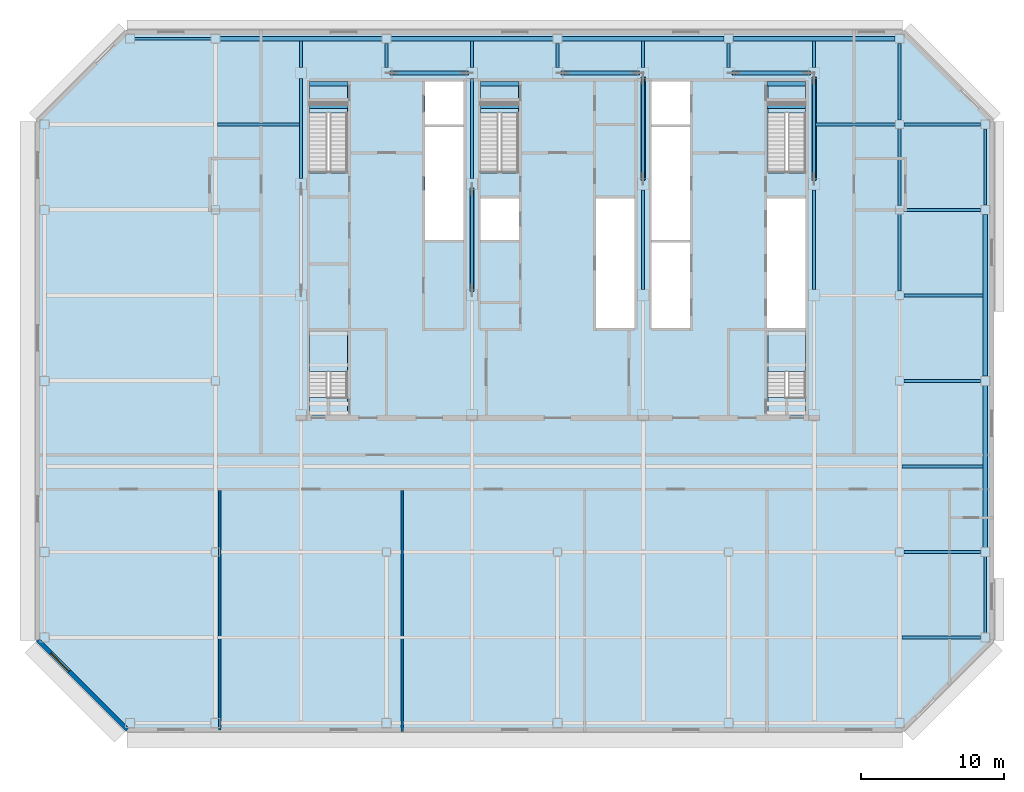
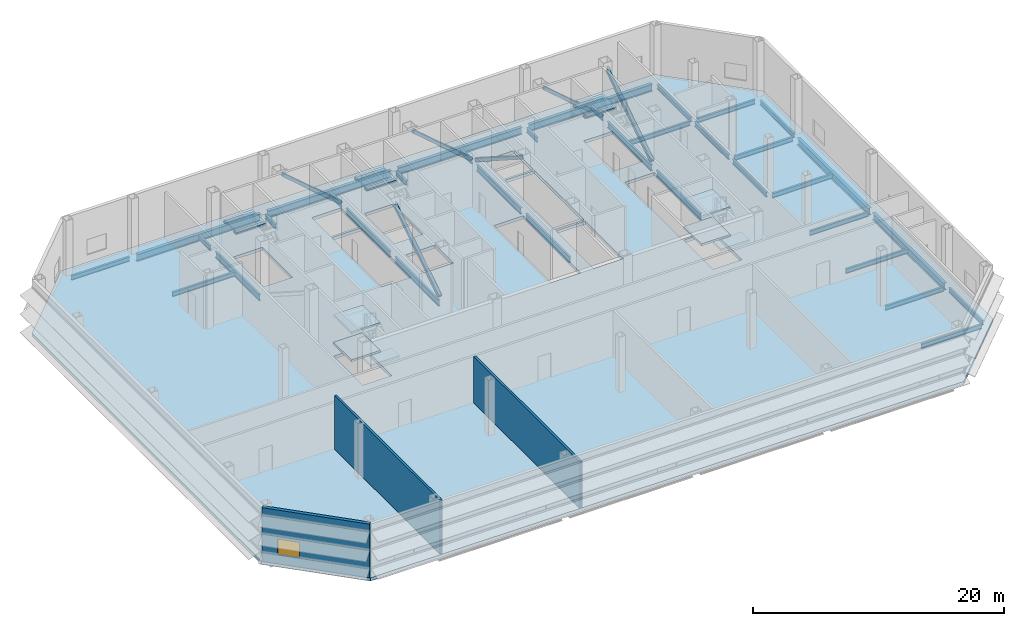
# One storey, part 2 of 11: 41 beams, 10 slabs, 6 members, 3 walls, 1 window, 1 opening, 5 elements without a shape of their own.
"""IFC4 building model written with IfcOpenShell, lengths in metres."""

from ifc_helpers import new_model, si_unit, direction, frame, frame_2d, origin, origin_2d, place, context, subcontext, project, spatial, polyline, rectangle, hollow_rectangle, i_section, outline, extrude, material, layer, layer_set, material_profile, profile_set, type_object, element, fill, aggregate, save


model = new_model("IFC4")

# Units and contexts
model_context = context("Model", 3, precision=1e-05, world=origin(), true_north=direction((0.0, 1.0)))
body_context = subcontext(model_context, "Body", "Model", "MODEL_VIEW")
ifc_project = project(units=[si_unit("LENGTHUNIT", "METRE"), si_unit("AREAUNIT", "SQUARE_METRE"), si_unit("VOLUMEUNIT", "CUBIC_METRE"), si_unit("PLANEANGLEUNIT", "RADIAN"), si_unit("MASSUNIT", "GRAM", prefix="KILO")], contexts=[model_context])

# Site, building, storey
site_placement = place(None, origin())
site = spatial("IfcSite", under=ifc_project, at=site_placement, CompositionType="ELEMENT")
building_placement = place(site_placement, origin())
building = spatial("IfcBuilding", under=site, at=building_placement, Name="Sorahane Residences", CompositionType="ELEMENT")
storey_placement = place(building_placement, frame((0.0, 0.0, 234.199951171875)))
storey = spatial("IfcBuildingStorey", under=building, at=storey_placement, Name="L55", CompositionType="ELEMENT", Elevation=234.199951171875)

# Members
ifc_material_1 = material(Name="Steel Q355B", Category="steel")
ifc_material_profile_1 = material_profile(ifc_material_1, hollow_rectangle(XDim=0.300048828125, YDim=0.300048828125, WallThickness=0.01611328125, InnerFilletRadius=0.008056640625, OuterFilletRadius=0.02392578125, at=origin_2d()), Name="RHS 300x300x16")
ifc_profile_set_1 = profile_set([ifc_material_profile_1], Name="Steel Q355B")
member_type = type_object("IfcMemberType", Name="Core brace RHS 300x300x16 Q355B", PredefinedType="BRACE", material=ifc_profile_set_1)
for number, where, z_axis, x_axis, name in (
    (1, (17.65869140625, 45.60009765625, 0.099609375), (-0.758336649086, 0.0, 0.651863119568), (0.0, -1.0, 0.0), "Core brace L55 y45.6-2"),
    (2, (29.65869140625, 45.60009765625, 0.099609375), (-0.758336649086, 0.0, 0.651863119568), (0.0, -1.0, 0.0), "Core brace L55 y45.6-4"),
    (3, (41.65869140625, 45.60009765625, 0.099609375), (-0.758336649086, 0.0, 0.651863119568), (0.0, -1.0, 0.0), "Core brace L55 y45.6-6"),
):
    element("IfcMember", number, at=place(storey_placement, frame(where, z_axis=z_axis, x_axis=x_axis)), inside=storey, type_object=member_type, Name=name, PredefinedType="BRACE", context=body_context, shape_type="SweptSolid", body=[
        extrude(hollow_rectangle(XDim=0.300048828125, YDim=0.300048828125, WallThickness=0.01611328125, InnerFilletRadius=0.008056640625, OuterFilletRadius=0.02392578125, at=origin_2d()), origin(), (0.0, 0.0, 1.0), 7.011962890625),
    ])
for number, where, z_axis, x_axis, name in (
    (4, (42.0, 38.151611328125, 0.119140625), (0.0, 0.842825953617, 0.538186224192), (-1.0, 0.0, 0.0), "Core brace L55 x42-3"),
    (5, (18.0, 30.3515625, 0.119140625), (0.0, 0.842825953617, 0.538186224192), (-1.0, 0.0, 0.0), "Core brace L55 x18-1"),
    (6, (30.0, 45.24853515625, 0.119140625), (0.0, -0.842825953617, 0.538186224192), (1.0, 0.0, 0.0), "Core brace L55 x30-2"),
):
    element("IfcMember", number, at=place(storey_placement, frame(where, z_axis=z_axis, x_axis=x_axis)), inside=storey, type_object=member_type, Name=name, PredefinedType="BRACE", context=body_context, shape_type="SweptSolid", body=[
        extrude(hollow_rectangle(XDim=0.300048828125, YDim=0.300048828125, WallThickness=0.01611328125, InnerFilletRadius=0.008056640625, OuterFilletRadius=0.02392578125, at=origin_2d()), origin(), (0.0, 0.0, 1.0), 8.42041015625),
    ])

# Beams
ifc_material_2 = material(Name="Concrete C40", Category="concrete")
ifc_material_profile_2 = material_profile(ifc_material_2, rectangle(XDim=0.300048828125, YDim=0.139892578125, at=origin_2d()), Name="300x140")
ifc_profile_set_2 = profile_set([ifc_material_profile_2], Name="Concrete C40")
beam_type_1 = type_object("IfcBeamType", Name="RC landing beam 300 x 140 Concrete C40", PredefinedType="BEAM", material=ifc_profile_set_2)
for number, where, z_axis, x_axis, name in (
    (7, (6.60009765625, 43.25, 2.429931640625), (1.0, 0.0, 0.0), (0.0, 1.0, 0.0), "Landing beam"),
    (8, (6.60009765625, 44.85009765625, 2.429931640625), (1.0, 0.0, 0.0), (0.0, 1.0, 0.0), "Landing beam"),
    (9, (38.699951171875, 43.25, 2.429931640625), (1.0, 0.0, 0.0), (0.0, 1.0, 0.0), "Landing beam"),
    (10, (38.699951171875, 44.85009765625, 2.429931640625), (1.0, 0.0, 0.0), (0.0, 1.0, 0.0), "Landing beam"),
    (11, (18.60009765625, 43.25, 2.429931640625), (1.0, 0.0, 0.0), (0.0, 1.0, 0.0), "Landing beam"),
    (12, (18.60009765625, 44.85009765625, 2.429931640625), (1.0, 0.0, 0.0), (0.0, 1.0, 0.0), "Landing beam"),
):
    element("IfcBeam", number, at=place(storey_placement, frame(where, z_axis=z_axis, x_axis=x_axis)), inside=storey, type_object=beam_type_1, Name=name, PredefinedType="BEAM", context=body_context, shape_type="SweptSolid", body=[
        extrude(rectangle(XDim=0.300048828125, YDim=0.139892578125, at=origin_2d()), origin(), (0.0, 0.0, 1.0), 2.699951171875),
    ])
ifc_material_3 = material(Name="Steel Q355B", Category="steel")
ifc_material_profile_3 = material_profile(ifc_material_3, i_section(OverallWidth=0.199951171875, OverallDepth=0.449951171875, WebThickness=0.009033203125, FlangeThickness=0.013916015625, FilletRadius=0.02001953125, at=origin_2d()), Name="HN 450x200x9x14")
ifc_profile_set_3 = profile_set([ifc_material_profile_3], Name="Steel Q355B")
beam_type_2 = type_object("IfcBeamType", Name="Steel floor beam HN 450x200x9x14 Q355B", PredefinedType="BEAM", material=ifc_profile_set_3)
for number, where, z_axis, x_axis, name in (
    (13, (48.300048828125, 12.0, -0.52490234375), (1.0, 0.0, 0.0), (0.0, 1.0, 0.0), "Beam L55 010"),
    (14, (48.300048828125, 24.0, -0.52490234375), (1.0, 0.0, 0.0), (0.0, 1.0, 0.0), "Beam L55 012"),
    (15, (48.300048828125, 36.0, -0.52490234375), (1.0, 0.0, 0.0), (0.0, 1.0, 0.0), "Beam L55 014"),
):
    element("IfcBeam", number, at=place(storey_placement, frame(where, z_axis=z_axis, x_axis=x_axis)), inside=storey, type_object=beam_type_2, Name=name, PredefinedType="BEAM", context=body_context, shape_type="SweptSolid", body=[
        extrude(i_section(OverallWidth=0.199951171875, OverallDepth=0.449951171875, WebThickness=0.009033203125, FlangeThickness=0.013916015625, FilletRadius=0.02001953125, at=origin_2d()), origin(), (0.0, 0.0, 1.0), 5.375),
    ])
beam_1_placement = place(storey_placement, frame((-5.675048828125, 48.0, -0.52490234375), z_axis=(1.0, 0.0, 0.0), x_axis=(0.0, 1.0, 0.0)))
element("IfcBeam", 16, at=beam_1_placement, inside=storey, type_object=beam_type_2, Name="Beam L55 015", PredefinedType="BEAM", context=body_context, shape_type="SweptSolid", body=[
    extrude(i_section(OverallWidth=0.199951171875, OverallDepth=0.449951171875, WebThickness=0.009033203125, FlangeThickness=0.013916015625, FilletRadius=0.02001953125, at=origin_2d()), origin(), (0.0, 0.0, 1.0), 5.35009765625),
])
beam_2_placement = place(storey_placement, frame((6.0, 46.0, -0.52490234375), z_axis=(0.0, 1.0, 0.0), x_axis=(-1.0, 0.0, 0.0)))
element("IfcBeam", 17, at=beam_2_placement, inside=storey, type_object=beam_type_2, Name="Beam L55 033", PredefinedType="BEAM", context=body_context, shape_type="SweptSolid", body=[
    extrude(i_section(OverallWidth=0.199951171875, OverallDepth=0.449951171875, WebThickness=0.009033203125, FlangeThickness=0.013916015625, FilletRadius=0.02001953125, at=origin_2d()), origin(), (0.0, 0.0, 1.0), 1.85009765625),
])
beam_3_placement = place(storey_placement, frame((12.0, 46.0, -0.52490234375), z_axis=(0.0, 1.0, 0.0), x_axis=(-1.0, 0.0, 0.0)))
element("IfcBeam", 18, at=beam_3_placement, inside=storey, type_object=beam_type_2, Name="Beam L55 035", PredefinedType="BEAM", context=body_context, shape_type="SweptSolid", body=[
    extrude(i_section(OverallWidth=0.199951171875, OverallDepth=0.449951171875, WebThickness=0.009033203125, FlangeThickness=0.013916015625, FilletRadius=0.02001953125, at=origin_2d()), origin(), (0.0, 0.0, 1.0), 1.675048828125),
])
beam_4_placement = place(storey_placement, frame((18.0, 46.0, -0.52490234375), z_axis=(0.0, 1.0, 0.0), x_axis=(-1.0, 0.0, 0.0)))
element("IfcBeam", 19, at=beam_4_placement, inside=storey, type_object=beam_type_2, Name="Beam L55 041", PredefinedType="BEAM", context=body_context, shape_type="SweptSolid", body=[
    extrude(i_section(OverallWidth=0.199951171875, OverallDepth=0.449951171875, WebThickness=0.009033203125, FlangeThickness=0.013916015625, FilletRadius=0.02001953125, at=origin_2d()), origin(), (0.0, 0.0, 1.0), 1.85009765625),
])
beam_5_placement = place(storey_placement, frame((24.0, 46.0, -0.52490234375), z_axis=(0.0, 1.0, 0.0), x_axis=(-1.0, 0.0, 0.0)))
element("IfcBeam", 20, at=beam_5_placement, inside=storey, type_object=beam_type_2, Name="Beam L55 043", PredefinedType="BEAM", context=body_context, shape_type="SweptSolid", body=[
    extrude(i_section(OverallWidth=0.199951171875, OverallDepth=0.449951171875, WebThickness=0.009033203125, FlangeThickness=0.013916015625, FilletRadius=0.02001953125, at=origin_2d()), origin(), (0.0, 0.0, 1.0), 1.675048828125),
])
beam_6_placement = place(storey_placement, frame((30.0, 46.0, -0.52490234375), z_axis=(0.0, 1.0, 0.0), x_axis=(-1.0, 0.0, 0.0)))
element("IfcBeam", 21, at=beam_6_placement, inside=storey, type_object=beam_type_2, Name="Beam L55 049", PredefinedType="BEAM", context=body_context, shape_type="SweptSolid", body=[
    extrude(i_section(OverallWidth=0.199951171875, OverallDepth=0.449951171875, WebThickness=0.009033203125, FlangeThickness=0.013916015625, FilletRadius=0.02001953125, at=origin_2d()), origin(), (0.0, 0.0, 1.0), 1.85009765625),
])
beam_7_placement = place(storey_placement, frame((36.0, 46.0, -0.52490234375), z_axis=(0.0, 1.0, 0.0), x_axis=(-1.0, 0.0, 0.0)))
element("IfcBeam", 22, at=beam_7_placement, inside=storey, type_object=beam_type_2, Name="Beam L55 051", PredefinedType="BEAM", context=body_context, shape_type="SweptSolid", body=[
    extrude(i_section(OverallWidth=0.199951171875, OverallDepth=0.449951171875, WebThickness=0.009033203125, FlangeThickness=0.013916015625, FilletRadius=0.02001953125, at=origin_2d()), origin(), (0.0, 0.0, 1.0), 1.675048828125),
])
beam_8_placement = place(storey_placement, frame((42.0, 46.0, -0.52490234375), z_axis=(0.0, 1.0, 0.0), x_axis=(-1.0, 0.0, 0.0)))
element("IfcBeam", 23, at=beam_8_placement, inside=storey, type_object=beam_type_2, Name="Beam L55 057", PredefinedType="BEAM", context=body_context, shape_type="SweptSolid", body=[
    extrude(i_section(OverallWidth=0.199951171875, OverallDepth=0.449951171875, WebThickness=0.009033203125, FlangeThickness=0.013916015625, FilletRadius=0.02001953125, at=origin_2d()), origin(), (0.0, 0.0, 1.0), 1.85009765625),
])
for number, where, z_axis, x_axis, name in (
    (24, (48.0, 30.300048828125, -0.52490234375), (0.0, 1.0, 0.0), (-1.0, 0.0, 0.0), "Beam L55 061"),
    (25, (48.0, 36.300048828125, -0.52490234375), (0.0, 1.0, 0.0), (-1.0, 0.0, 0.0), "Beam L55 062"),
):
    element("IfcBeam", number, at=place(storey_placement, frame(where, z_axis=z_axis, x_axis=x_axis)), inside=storey, type_object=beam_type_2, Name=name, PredefinedType="BEAM", context=body_context, shape_type="SweptSolid", body=[
        extrude(i_section(OverallWidth=0.199951171875, OverallDepth=0.449951171875, WebThickness=0.009033203125, FlangeThickness=0.013916015625, FilletRadius=0.02001953125, at=origin_2d()), origin(), (0.0, 0.0, 1.0), 5.39990234375),
    ])
beam_9_placement = place(storey_placement, frame((48.0, 42.300048828125, -0.52490234375), z_axis=(0.0, 1.0, 0.0), x_axis=(-1.0, 0.0, 0.0)))
element("IfcBeam", 26, at=beam_9_placement, inside=storey, type_object=beam_type_2, Name="Beam L55 063", PredefinedType="BEAM", context=body_context, shape_type="SweptSolid", body=[
    extrude(i_section(OverallWidth=0.199951171875, OverallDepth=0.449951171875, WebThickness=0.009033203125, FlangeThickness=0.013916015625, FilletRadius=0.02001953125, at=origin_2d()), origin(), (0.0, 0.0, 1.0), 5.375),
])
for number, where, z_axis, x_axis, name in (
    (27, (54.0, 6.324951171875, -0.52490234375), (0.0, 1.0, 0.0), (-1.0, 0.0, 0.0), "Beam L55 064"),
    (28, (54.0, 36.324951171875, -0.52490234375), (0.0, 1.0, 0.0), (-1.0, 0.0, 0.0), "Beam L55 067"),
):
    element("IfcBeam", number, at=place(storey_placement, frame(where, z_axis=z_axis, x_axis=x_axis)), inside=storey, type_object=beam_type_2, Name=name, PredefinedType="BEAM", context=body_context, shape_type="SweptSolid", body=[
        extrude(i_section(OverallWidth=0.199951171875, OverallDepth=0.449951171875, WebThickness=0.009033203125, FlangeThickness=0.013916015625, FilletRadius=0.02001953125, at=origin_2d()), origin(), (0.0, 0.0, 1.0), 5.35009765625),
    ])
beam_10_placement = place(storey_placement, frame((48.14990234375, 6.0, -0.52490234375), z_axis=(1.0, 0.0, 0.0), x_axis=(0.0, 1.0, 0.0)))
element("IfcBeam", 29, at=beam_10_placement, inside=storey, type_object=beam_type_2, Name="Beam L55 077", PredefinedType="BEAM", context=body_context, shape_type="SweptSolid", body=[
    extrude(i_section(OverallWidth=0.199951171875, OverallDepth=0.449951171875, WebThickness=0.009033203125, FlangeThickness=0.013916015625, FilletRadius=0.02001953125, at=origin_2d()), origin(), (0.0, 0.0, 1.0), 5.525146484375),
])
beam_11_placement = place(storey_placement, frame((48.14990234375, 18.0, -0.52490234375), z_axis=(1.0, 0.0, 0.0), x_axis=(0.0, 1.0, 0.0)))
element("IfcBeam", 30, at=beam_11_placement, inside=storey, type_object=beam_type_2, Name="Beam L55 084", PredefinedType="BEAM", context=body_context, shape_type="SweptSolid", body=[
    extrude(i_section(OverallWidth=0.199951171875, OverallDepth=0.449951171875, WebThickness=0.009033203125, FlangeThickness=0.013916015625, FilletRadius=0.02001953125, at=origin_2d()), origin(), (0.0, 0.0, 1.0), 5.7001953125),
])
beam_12_placement = place(storey_placement, frame((48.300048828125, 30.0, -0.52490234375), z_axis=(1.0, 0.0, 0.0), x_axis=(0.0, 1.0, 0.0)))
element("IfcBeam", 31, at=beam_12_placement, inside=storey, type_object=beam_type_2, Name="Beam L55 088", PredefinedType="BEAM", context=body_context, shape_type="SweptSolid", body=[
    extrude(i_section(OverallWidth=0.199951171875, OverallDepth=0.449951171875, WebThickness=0.009033203125, FlangeThickness=0.013916015625, FilletRadius=0.02001953125, at=origin_2d()), origin(), (0.0, 0.0, 1.0), 5.550048828125),
])
beam_13_placement = place(storey_placement, frame((0.14990234375, 42.0, -0.52490234375), z_axis=(1.0, 0.0, 0.0), x_axis=(0.0, 1.0, 0.0)))
element("IfcBeam", 32, at=beam_13_placement, inside=storey, type_object=beam_type_2, Name="Beam L55 090", PredefinedType="BEAM", context=body_context, shape_type="SweptSolid", body=[
    extrude(i_section(OverallWidth=0.199951171875, OverallDepth=0.449951171875, WebThickness=0.009033203125, FlangeThickness=0.013916015625, FilletRadius=0.02001953125, at=origin_2d()), origin(), (0.0, 0.0, 1.0), 5.75),
])
beam_14_placement = place(storey_placement, frame((42.10009765625, 42.0, -0.52490234375), z_axis=(1.0, 0.0, 0.0), x_axis=(0.0, 1.0, 0.0)))
element("IfcBeam", 33, at=beam_14_placement, inside=storey, type_object=beam_type_2, Name="Beam L55 091", PredefinedType="BEAM", context=body_context, shape_type="SweptSolid", body=[
    extrude(i_section(OverallWidth=0.199951171875, OverallDepth=0.449951171875, WebThickness=0.009033203125, FlangeThickness=0.013916015625, FilletRadius=0.02001953125, at=origin_2d()), origin(), (0.0, 0.0, 1.0), 5.599853515625),
])
beam_15_placement = place(storey_placement, frame((48.300048828125, 42.0, -0.52490234375), z_axis=(1.0, 0.0, 0.0), x_axis=(0.0, 1.0, 0.0)))
element("IfcBeam", 34, at=beam_15_placement, inside=storey, type_object=beam_type_2, Name="Beam L55 092", PredefinedType="BEAM", context=body_context, shape_type="SweptSolid", body=[
    extrude(i_section(OverallWidth=0.199951171875, OverallDepth=0.449951171875, WebThickness=0.009033203125, FlangeThickness=0.013916015625, FilletRadius=0.02001953125, at=origin_2d()), origin(), (0.0, 0.0, 1.0), 5.375),
])
ifc_material_4 = material(Name="Steel Q355B", Category="steel")
ifc_material_profile_4 = material_profile(ifc_material_4, i_section(OverallWidth=0.199951171875, OverallDepth=0.60009765625, WebThickness=0.010986328125, FlangeThickness=0.01708984375, FilletRadius=0.02392578125, at=origin_2d()), Name="HN 600x200x11x17")
ifc_profile_set_4 = profile_set([ifc_material_profile_4], Name="Steel Q355B")
beam_type_3 = type_object("IfcBeamType", Name="Steel floor beam HN 600x200x11x17 Q355B", PredefinedType="BEAM", material=ifc_profile_set_4)
for number, where, z_axis, x_axis, name in (
    (35, (6.0, 38.199951171875, -0.599853515625), (0.0, 1.0, 0.0), (-1.0, 0.0, 0.0), "Beam L55 032"),
    (36, (18.0, 30.39990234375, -0.599853515625), (0.0, 1.0, 0.0), (-1.0, 0.0, 0.0), "Beam L55 039"),
    (37, (18.0, 38.199951171875, -0.599853515625), (0.0, 1.0, 0.0), (-1.0, 0.0, 0.0), "Beam L55 040"),
    (38, (30.0, 30.39990234375, -0.599853515625), (0.0, 1.0, 0.0), (-1.0, 0.0, 0.0), "Beam L55 047"),
    (39, (30.0, 38.199951171875, -0.599853515625), (0.0, 1.0, 0.0), (-1.0, 0.0, 0.0), "Beam L55 048"),
    (40, (42.0, 30.39990234375, -0.599853515625), (0.0, 1.0, 0.0), (-1.0, 0.0, 0.0), "Beam L55 055"),
    (41, (42.0, 38.199951171875, -0.599853515625), (0.0, 1.0, 0.0), (-1.0, 0.0, 0.0), "Beam L55 056"),
):
    element("IfcBeam", number, at=place(storey_placement, frame(where, z_axis=z_axis, x_axis=x_axis)), inside=storey, type_object=beam_type_3, Name=name, PredefinedType="BEAM", context=body_context, shape_type="SweptSolid", body=[
        extrude(i_section(OverallWidth=0.199951171875, OverallDepth=0.60009765625, WebThickness=0.010986328125, FlangeThickness=0.01708984375, FilletRadius=0.02392578125, at=origin_2d()), origin(), (0.0, 0.0, 1.0), 7.0),
    ])
ifc_material_5 = material(Name="Steel Q355B", Category="steel")
ifc_material_profile_5 = material_profile(ifc_material_5, i_section(OverallWidth=0.300048828125, OverallDepth=0.699951171875, WebThickness=0.012939453125, FlangeThickness=0.02392578125, FilletRadius=0.028076171875, at=origin_2d()), Name="HN 700x300x13x24")
ifc_profile_set_5 = profile_set([ifc_material_profile_5], Name="Steel Q355B")
beam_type_4 = type_object("IfcBeamType", Name="Steel floor beam HN 700x300x13x24 Q355B", PredefinedType="BEAM", material=ifc_profile_set_5)
for number, where, z_axis, x_axis, name in (
    (42, (0.324951171875, 48.0, -0.64990234375), (1.0, 0.0, 0.0), (0.0, 1.0, 0.0), "Beam L55 016"),
    (43, (12.324951171875, 48.0, -0.64990234375), (1.0, 0.0, 0.0), (0.0, 1.0, 0.0), "Beam L55 017"),
    (44, (24.324951171875, 48.0, -0.64990234375), (1.0, 0.0, 0.0), (0.0, 1.0, 0.0), "Beam L55 018"),
    (45, (36.324951171875, 48.0, -0.64990234375), (1.0, 0.0, 0.0), (0.0, 1.0, 0.0), "Beam L55 019"),
    (46, (54.0, 12.324951171875, -0.64990234375), (0.0, 1.0, 0.0), (-1.0, 0.0, 0.0), "Beam L55 065"),
    (47, (54.0, 24.324951171875, -0.64990234375), (0.0, 1.0, 0.0), (-1.0, 0.0, 0.0), "Beam L55 066"),
):
    element("IfcBeam", number, at=place(storey_placement, frame(where, z_axis=z_axis, x_axis=x_axis)), inside=storey, type_object=beam_type_4, Name=name, PredefinedType="BEAM", context=body_context, shape_type="SweptSolid", body=[
        extrude(i_section(OverallWidth=0.300048828125, OverallDepth=0.699951171875, WebThickness=0.012939453125, FlangeThickness=0.02392578125, FilletRadius=0.028076171875, at=origin_2d()), origin(), (0.0, 0.0, 1.0), 11.35009765625),
    ])

# Slab
ifc_material_6 = material(Name="Concrete C35", Category="concrete")
ifc_layer_1 = layer(ifc_material_6, 0.300048828125)
ifc_layer_set_1 = layer_set([ifc_layer_1], Name="Composite floor slab 300 mm Concrete C35")
slab_type_1 = type_object("IfcSlabType", Name="Composite floor slab 300 mm Concrete C35", PredefinedType="FLOOR", material=ifc_layer_set_1)
slab_1_placement = place(storey_placement, frame((0.0, 0.0, -0.300048828125)))
element("IfcSlab", 48, at=slab_1_placement, inside=storey, type_object=slab_type_1, Name="Slab L55", PredefinedType="FLOOR", context=body_context, shape_type="SweptSolid", body=[
    extrude(outline(polyline([(-6.24853515625, -0.60009765625), (-12.60009765625, 5.75146484375), (-12.60009765625, 42.24853515625), (-6.24853515625, 48.60009765625), (48.24853515625, 48.60009765625), (54.60009765625, 42.24853515625), (54.60009765625, 5.75146484375), (48.24853515625, -0.60009765625), (-6.24853515625, -0.60009765625)]), holes=[polyline([(38.699951171875, 27.699951171875), (41.39990234375, 27.699951171875), (41.39990234375, 36.800048828125), (38.699951171875, 36.800048828125), (38.699951171875, 27.699951171875)]), polyline([(30.60009765625, 27.699951171875), (33.300048828125, 27.699951171875), (33.300048828125, 33.699951171875), (30.60009765625, 33.699951171875), (30.60009765625, 27.699951171875)]), polyline([(30.60009765625, 42.0), (33.300048828125, 42.0), (33.300048828125, 45.0), (30.60009765625, 45.0), (30.60009765625, 42.0)]), polyline([(14.699951171875, 42.0), (17.39990234375, 42.0), (17.39990234375, 45.0), (14.699951171875, 45.0), (14.699951171875, 42.0)]), polyline([(6.60009765625, 43.39990234375), (9.25, 43.39990234375), (9.25, 38.60009765625), (6.60009765625, 38.60009765625), (6.60009765625, 43.39990234375)]), polyline([(38.75, 43.39990234375), (41.39990234375, 43.39990234375), (41.39990234375, 38.60009765625), (38.75, 38.60009765625), (38.75, 43.39990234375)]), polyline([(18.60009765625, 43.39990234375), (21.25, 43.39990234375), (21.25, 38.60009765625), (18.60009765625, 38.60009765625), (18.60009765625, 43.39990234375)]), polyline([(6.60009765625, 27.5), (9.25, 27.5), (9.25, 22.85009765625), (6.60009765625, 22.85009765625), (6.60009765625, 27.5)]), polyline([(38.75, 27.5), (41.39990234375, 27.5), (41.39990234375, 22.85009765625), (38.75, 22.85009765625), (38.75, 27.5)]), polyline([(14.699951171875, 33.89990234375), (17.39990234375, 33.89990234375), (17.39990234375, 41.800048828125), (14.699951171875, 41.800048828125), (14.699951171875, 33.89990234375)]), polyline([(30.60009765625, 33.89990234375), (33.300048828125, 33.89990234375), (33.300048828125, 41.800048828125), (30.60009765625, 41.800048828125), (30.60009765625, 33.89990234375)]), polyline([(18.60009765625, 33.89990234375), (21.300048828125, 33.89990234375), (21.300048828125, 36.800048828125), (18.60009765625, 36.800048828125), (18.60009765625, 33.89990234375)]), polyline([(26.699951171875, 27.699951171875), (29.39990234375, 27.699951171875), (29.39990234375, 36.800048828125), (26.699951171875, 36.800048828125), (26.699951171875, 27.699951171875)])]), origin(), (0.0, 0.0, 1.0), 0.300048828125),
])

# Stair, slab
ifc_material_7 = material(Name="Concrete C40", Category="concrete")
stair_type = type_object("IfcStairType", Name="Dog-leg stair 1250 Concrete C40", PredefinedType="HALF_TURN_STAIR", material=ifc_material_7)
stair_1_placement = place(storey_placement, origin())
stair_1 = element("IfcStair", 49, at=stair_1_placement, inside=storey, type_object=stair_type, Name="L55 Stair S1", PredefinedType="HALF_TURN_STAIR")
ifc_material_8 = material(Name="Concrete C40", Category="concrete")
ifc_layer_2 = layer(ifc_material_8, 0.199951171875)
ifc_layer_set_2 = layer_set([ifc_layer_2], Name="Stair landing 200 Concrete C40")
slab_type_2 = type_object("IfcSlabType", Name="Stair landing 200 Concrete C40", PredefinedType="LANDING", material=ifc_layer_set_2)
slab_2_placement = place(storey_placement, frame((0.0, 0.0, 2.5)))
slab_2 = element("IfcSlab", 50, at=slab_2_placement, type_object=slab_type_2, Name="S1 landing 1", PredefinedType="LANDING", context=body_context, shape_type="SweptSolid", body=[
    extrude(outline(polyline([(9.25, 42.800048828125), (9.25, 45.0), (6.60009765625, 45.0), (6.60009765625, 42.800048828125), (9.25, 42.800048828125)])), origin(), (0.0, 0.0, 1.0), 0.199951171875),
])
aggregate(stair_1, [slab_2])

stair_2_placement = place(storey_placement, origin())
stair_2 = element("IfcStair", 51, at=stair_2_placement, inside=storey, type_object=stair_type, Name="L55 Stair S2", PredefinedType="HALF_TURN_STAIR")
slab_3_placement = place(storey_placement, frame((0.0, 0.0, 2.5)))
slab_3 = element("IfcSlab", 52, at=slab_3_placement, type_object=slab_type_2, Name="S2 landing 1", PredefinedType="LANDING", context=body_context, shape_type="SweptSolid", body=[
    extrude(outline(polyline([(41.39990234375, 42.800048828125), (41.39990234375, 45.0), (38.75, 45.0), (38.75, 42.800048828125), (41.39990234375, 42.800048828125)])), origin(), (0.0, 0.0, 1.0), 0.199951171875),
])
aggregate(stair_2, [slab_3])

stair_3_placement = place(storey_placement, origin())
stair_3 = element("IfcStair", 53, at=stair_3_placement, inside=storey, type_object=stair_type, Name="L55 Stair S3", PredefinedType="HALF_TURN_STAIR")
slab_4_placement = place(storey_placement, frame((0.0, 0.0, 2.5)))
slab_4 = element("IfcSlab", 54, at=slab_4_placement, type_object=slab_type_2, Name="S3 landing 1", PredefinedType="LANDING", context=body_context, shape_type="SweptSolid", body=[
    extrude(outline(polyline([(21.25, 42.800048828125), (21.25, 45.0), (18.60009765625, 45.0), (18.60009765625, 42.800048828125), (21.25, 42.800048828125)])), origin(), (0.0, 0.0, 1.0), 0.199951171875),
])
aggregate(stair_3, [slab_4])

# Stair, slabs
stair_4_placement = place(storey_placement, origin())
stair_4 = element("IfcStair", 55, at=stair_4_placement, inside=storey, type_object=stair_type, Name="L55 Stair S4", PredefinedType="HALF_TURN_STAIR")
slab_5_placement = place(storey_placement, frame((0.0, 0.0, 1.150146484375)))
slab_5 = element("IfcSlab", 56, at=slab_5_placement, type_object=slab_type_2, Name="S4 landing 1", PredefinedType="LANDING", context=body_context, shape_type="SweptSolid", body=[
    extrude(outline(polyline([(9.25, 24.669921875), (9.25, 27.5), (6.60009765625, 27.5), (6.60009765625, 24.669921875), (9.25, 24.669921875)])), origin(), (0.0, 0.0, 1.0), 0.199951171875),
])
slab_6_placement = place(storey_placement, frame((0.0, 0.0, 2.5)))
slab_6 = element("IfcSlab", 57, at=slab_6_placement, type_object=slab_type_2, Name="S4 landing 2", PredefinedType="LANDING", context=body_context, shape_type="SweptSolid", body=[
    extrude(outline(polyline([(9.25, 21.60009765625), (9.25, 22.85009765625), (6.60009765625, 22.85009765625), (6.60009765625, 21.60009765625), (9.25, 21.60009765625)])), origin(), (0.0, 0.0, 1.0), 0.199951171875),
])
slab_7_placement = place(storey_placement, frame((0.0, 0.0, 3.85009765625)))
slab_7 = element("IfcSlab", 58, at=slab_7_placement, type_object=slab_type_2, Name="S4 landing 3", PredefinedType="LANDING", context=body_context, shape_type="SweptSolid", body=[
    extrude(outline(polyline([(9.25, 24.669921875), (9.25, 27.5), (6.60009765625, 27.5), (6.60009765625, 24.669921875), (9.25, 24.669921875)])), origin(), (0.0, 0.0, 1.0), 0.199951171875),
])
aggregate(stair_4, [slab_5, slab_6, slab_7])

stair_5_placement = place(storey_placement, origin())
stair_5 = element("IfcStair", 59, at=stair_5_placement, inside=storey, type_object=stair_type, Name="L55 Stair S5", PredefinedType="HALF_TURN_STAIR")
slab_8_placement = place(storey_placement, frame((0.0, 0.0, 1.150146484375)))
slab_8 = element("IfcSlab", 60, at=slab_8_placement, type_object=slab_type_2, Name="S5 landing 1", PredefinedType="LANDING", context=body_context, shape_type="SweptSolid", body=[
    extrude(outline(polyline([(41.39990234375, 24.669921875), (41.39990234375, 27.5), (38.75, 27.5), (38.75, 24.669921875), (41.39990234375, 24.669921875)])), origin(), (0.0, 0.0, 1.0), 0.199951171875),
])
slab_9_placement = place(storey_placement, frame((0.0, 0.0, 2.5)))
slab_9 = element("IfcSlab", 61, at=slab_9_placement, type_object=slab_type_2, Name="S5 landing 2", PredefinedType="LANDING", context=body_context, shape_type="SweptSolid", body=[
    extrude(outline(polyline([(41.39990234375, 21.60009765625), (41.39990234375, 22.85009765625), (38.75, 22.85009765625), (38.75, 21.60009765625), (41.39990234375, 21.60009765625)])), origin(), (0.0, 0.0, 1.0), 0.199951171875),
])
slab_10_placement = place(storey_placement, frame((0.0, 0.0, 3.85009765625)))
slab_10 = element("IfcSlab", 62, at=slab_10_placement, type_object=slab_type_2, Name="S5 landing 3", PredefinedType="LANDING", context=body_context, shape_type="SweptSolid", body=[
    extrude(outline(polyline([(41.39990234375, 24.669921875), (41.39990234375, 27.5), (38.75, 27.5), (38.75, 24.669921875), (41.39990234375, 24.669921875)])), origin(), (0.0, 0.0, 1.0), 0.199951171875),
])
aggregate(stair_5, [slab_8, slab_9, slab_10])

# Wall, opening, window
ifc_material_9 = material(Name="Graphite insulated metal-clad wall")
ifc_layer_3 = layer(ifc_material_9, 0.300048828125)
ifc_layer_set_3 = layer_set([ifc_layer_3], Name="External wall insulated metal-clad 300")
wall_type_1 = type_object("IfcWallType", Name="External wall insulated metal-clad 300", PredefinedType="SOLIDWALL", material=ifc_layer_set_3)
wall_1_placement = place(storey_placement, frame((-12.469970703125, 5.805419921875, 0.0), z_axis=(0.0, 0.0, 1.0), x_axis=(0.707106781187, -0.707106781187, 0.0)))
wall_1 = element("IfcWall", 63, at=wall_1_placement, inside=storey, type_object=wall_type_1, Name="External plant wall L55 SW1", PredefinedType="SOLIDWALL", context=body_context, shape_type="SweptSolid", body=[
    extrude(rectangle(XDim=8.874755859375, YDim=0.300048828125, at=frame_2d((4.4375, 0.0))), origin(), (0.0, 0.0, 1.0), 5.219970703125),
])
opening_placement = place(wall_1_placement, frame((1.291748046875, 0.0, 0.89990234375)))
opening = element("IfcOpeningElement", 64, at=opening_placement, cuts=wall_1, Name="Opening W-R1", PredefinedType="OPENING", context=body_context, shape_type="SweptSolid", body=[
    extrude(rectangle(XDim=1.800048828125, YDim=1.5, at=frame_2d((0.89990234375, 0.75))), frame((0.0, 0.159912109375, 0.0), z_axis=(0.0, -1.0, 0.0), x_axis=(1.0, 0.0, 0.0)), (0.0, 0.0, 1.0), 0.320068359375),
])
ifc_material_10 = material(Name="Dark aluminium and glass", Category="aluminium")
window_type = type_object("IfcWindowType", Name="Openable Class B fire window dark aluminium 1800x1500", PartitioningType="SINGLE_PANEL", PredefinedType="WINDOW", material=ifc_material_10)
window_placement = place(opening_placement, origin())
window = element("IfcWindow", 65, at=window_placement, inside=storey, type_object=window_type, Name="Openable fire window L55 SW1.1", OverallHeight=1.5, OverallWidth=1.800048828125, PartitioningType="SINGLE_PANEL", PredefinedType="WINDOW", context=body_context, shape_type="SweptSolid", body=[
    extrude(rectangle(XDim=1.800048828125, YDim=1.5, at=frame_2d((0.89990234375, 0.75))), frame((0.0, 0.030029296875, 0.0), z_axis=(0.0, -1.0, 0.0), x_axis=(1.0, 0.0, 0.0)), (0.0, 0.0, 1.0), 0.06005859375),
])
fill(opening, window)

# Walls
ifc_material_11 = material(Name="Concrete blockwork C20 wall", Category="masonry")
ifc_layer_4 = layer(ifc_material_11, 0.199951171875)
ifc_layer_set_4 = layer_set([ifc_layer_4], Name="Plant wall 200 EI 120")
wall_type_2 = type_object("IfcWallType", Name="Plant wall 200 EI 120", PredefinedType="SOLIDWALL", material=ifc_layer_set_4)
wall_2_placement = place(storey_placement, frame((0.300048828125, -0.5, 0.0), z_axis=(0.0, 0.0, 1.0), x_axis=(0.0, 1.0, 0.0)))
element("IfcWall", 66, at=wall_2_placement, inside=storey, type_object=wall_type_2, Name="L55 plant wall", PredefinedType="SOLIDWALL", context=body_context, shape_type="SweptSolid", body=[
    extrude(rectangle(XDim=16.800048828125, YDim=0.199951171875, at=frame_2d((8.39990234375, 0.0))), origin(), (0.0, 0.0, 1.0), 5.219970703125),
])
wall_3_placement = place(storey_placement, frame((13.10009765625, -0.60009765625, 0.0), z_axis=(0.0, 0.0, 1.0), x_axis=(0.0, 1.0, 0.0)))
element("IfcWall", 67, at=wall_3_placement, inside=storey, type_object=wall_type_2, Name="L55 plant wall", PredefinedType="SOLIDWALL", context=body_context, shape_type="SweptSolid", body=[
    extrude(rectangle(XDim=16.900146484375, YDim=0.199951171875, at=frame_2d((8.4501953125, 0.0))), origin(), (0.0, 0.0, 1.0), 4.52001953125),
])

save(model, "model.ifc")
